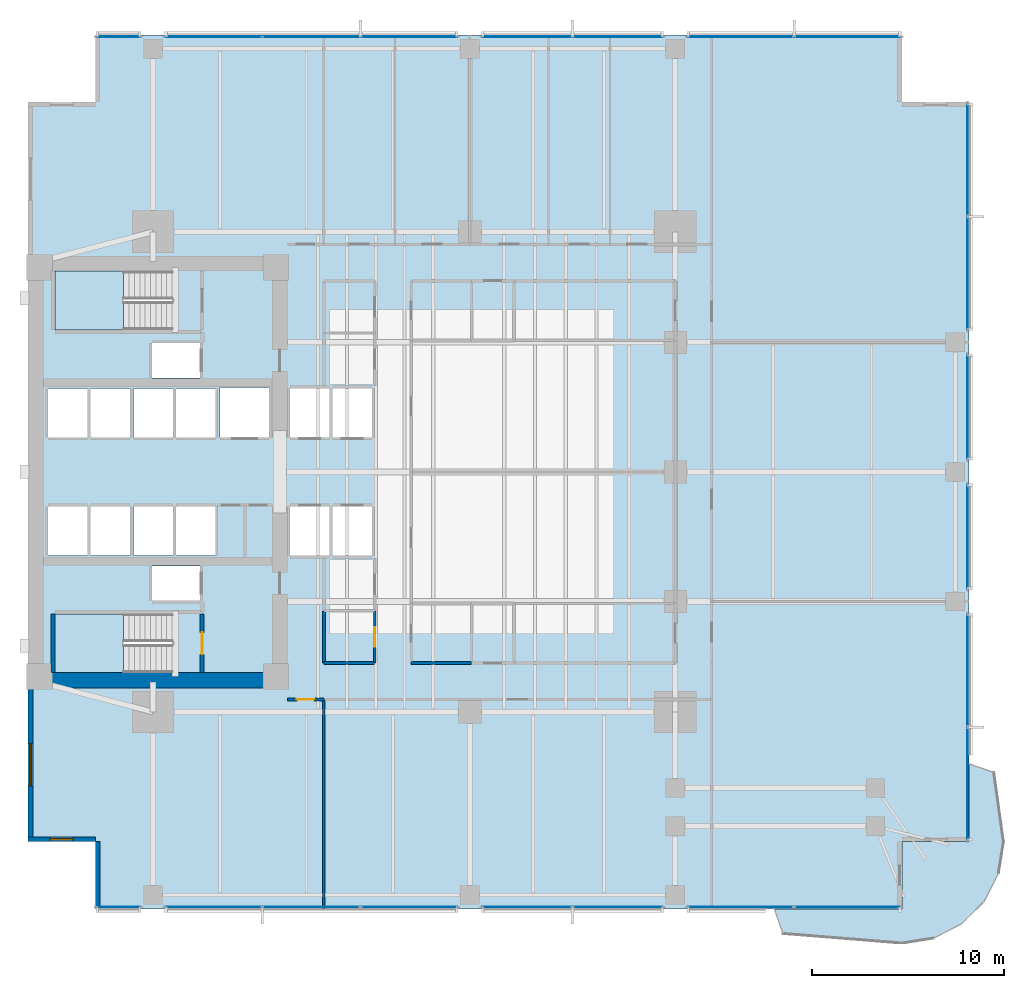
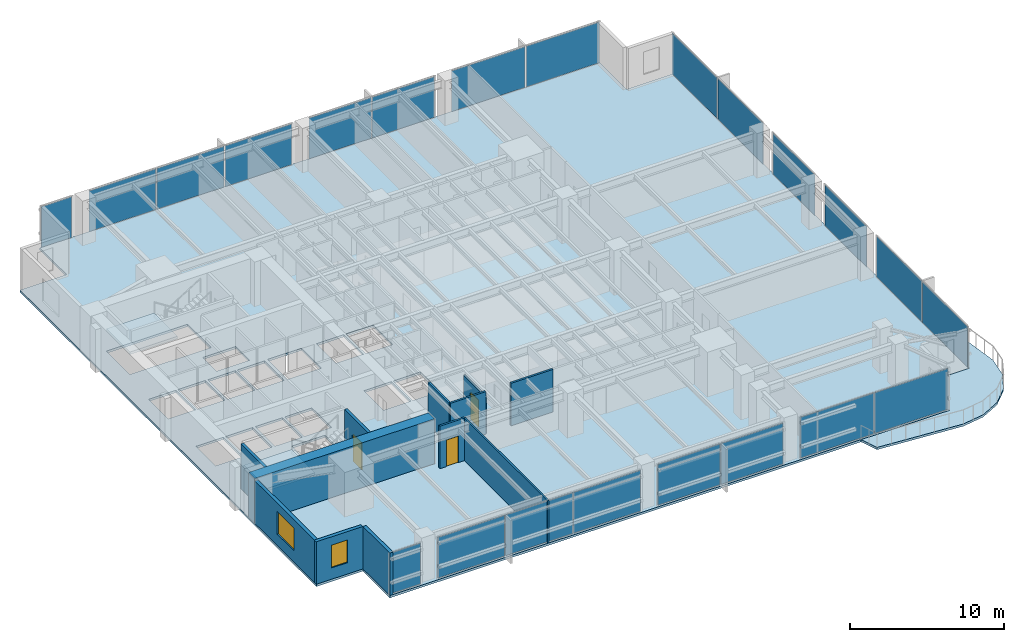
# One storey, part 7 of 15: 22 plates, 12 walls, 4 slabs, 3 doors, 2 windows, 5 openings, 14 elements without a shape of their own.
"""IFC4 building model written with IfcOpenShell, lengths in metres."""

from ifc_helpers import new_model, si_unit, direction, frame, frame_2d, origin, origin_2d, place, context, subcontext, project, spatial, polyline, rectangle, outline, extrude, material, layer, layer_set, type_object, element, fill, aggregate, save


model = new_model("IFC4")

# Units and contexts
model_context = context("Model", 3, precision=1e-05, world=origin(), true_north=direction((0.0, 1.0)))
body_context = subcontext(model_context, "Body", "Model", "MODEL_VIEW")
ifc_project = project(units=[si_unit("LENGTHUNIT", "METRE"), si_unit("AREAUNIT", "SQUARE_METRE"), si_unit("VOLUMEUNIT", "CUBIC_METRE"), si_unit("PLANEANGLEUNIT", "RADIAN"), si_unit("MASSUNIT", "GRAM", prefix="KILO")], contexts=[model_context])

# Site, building, storey
site_placement = place(None, origin())
site = spatial("IfcSite", under=ifc_project, at=site_placement, CompositionType="ELEMENT")
building_placement = place(site_placement, origin())
building = spatial("IfcBuilding", under=site, at=building_placement, Name="Kinhvarn Gate Tower", CompositionType="ELEMENT")
storey_placement = place(building_placement, frame((0.0, 0.0, 50.449951171875)))
storey = spatial("IfcBuildingStorey", under=building, at=storey_placement, Name="L12", CompositionType="ELEMENT", Elevation=50.449951171875)

# Curtain wall, plate
ifc_material_1 = material(Name="Anodised aluminium AW-6063", Category="aluminium")
ifc_layer_1 = layer(ifc_material_1, 0.179931640625)
ifc_layer_set_1 = layer_set([ifc_layer_1], Name="Anodised aluminium AW-6063")
curtain_wall_type = type_object("IfcCurtainWallType", Name="CW-SYS-2", PredefinedType="NOTDEFINED", material=ifc_layer_set_1)
curtain_wall_1_placement = place(storey_placement, origin())
curtain_wall_1 = element("IfcCurtainWall", 1, at=curtain_wall_1_placement, inside=storey, type_object=curtain_wall_type, Name="Curtain Wall CW2 (L12)", PredefinedType="NOTDEFINED")
ifc_material_2 = material(Name="Clear low-e double glazing", Category="glass")
ifc_layer_2 = layer(ifc_material_2, 0.031982421875)
ifc_layer_set_2 = layer_set([ifc_layer_2], Name="Clear low-e double glazing")
plate_type = type_object("IfcPlateType", Name="CW-PNL-VIS", PredefinedType="CURTAIN_PANEL", material=ifc_layer_set_2)
plate_1_placement = place(storey_placement, frame((9.2099609375, 2.590087890625, 0.070068359375), z_axis=(0.0, 0.0, 1.0), x_axis=(1.0, 0.0, 0.0)))
plate_1 = element("IfcPlate", 2, at=plate_1_placement, type_object=plate_type, Name="CW2 panel 1.1", PredefinedType="CURTAIN_PANEL", context=body_context, shape_type="SweptSolid", body=[
    extrude(rectangle(XDim=2.280029296875, YDim=0.031982421875, at=origin_2d()), origin(), (0.0, 0.0, 1.0), 3.22998046875),
])
aggregate(curtain_wall_1, [plate_1])

# Curtain wall, plates
curtain_wall_2_placement = place(storey_placement, origin())
curtain_wall_2 = element("IfcCurtainWall", 3, at=curtain_wall_2_placement, inside=storey, type_object=curtain_wall_type, Name="Curtain Wall CW2 (L12)", PredefinedType="NOTDEFINED")
plate_2_placement = place(storey_placement, frame((14.154052734375, 2.590087890625, 0.070068359375), z_axis=(0.0, 0.0, 1.0), x_axis=(1.0, 0.0, 0.0)))
plate_2 = element("IfcPlate", 4, at=plate_2_placement, type_object=plate_type, Name="CW2 panel 1.1", PredefinedType="CURTAIN_PANEL", context=body_context, shape_type="SweptSolid", body=[
    extrude(rectangle(XDim=5.00830078125, YDim=0.031982421875, at=origin_2d()), origin(), (0.0, 0.0, 1.0), 3.22998046875),
])
plate_3_placement = place(storey_placement, frame((19.25, 2.590087890625, 0.070068359375), z_axis=(0.0, 0.0, 1.0), x_axis=(1.0, 0.0, 0.0)))
plate_3 = element("IfcPlate", 5, at=plate_3_placement, type_object=plate_type, Name="CW2 panel 2.1", PredefinedType="CURTAIN_PANEL", context=body_context, shape_type="SweptSolid", body=[
    extrude(rectangle(XDim=5.043212890625, YDim=0.031982421875, at=origin_2d()), origin(), (0.0, 0.0, 1.0), 3.22998046875),
])
plate_4_placement = place(storey_placement, frame((24.345947265625, 2.590087890625, 0.070068359375), z_axis=(0.0, 0.0, 1.0), x_axis=(1.0, 0.0, 0.0)))
plate_4 = element("IfcPlate", 6, at=plate_4_placement, type_object=plate_type, Name="CW2 panel 3.1", PredefinedType="CURTAIN_PANEL", context=body_context, shape_type="SweptSolid", body=[
    extrude(rectangle(XDim=5.00830078125, YDim=0.031982421875, at=origin_2d()), origin(), (0.0, 0.0, 1.0), 3.22998046875),
])
aggregate(curtain_wall_2, [plate_2, plate_3, plate_4])

curtain_wall_3_placement = place(storey_placement, origin())
curtain_wall_3 = element("IfcCurtainWall", 7, at=curtain_wall_3_placement, inside=storey, type_object=curtain_wall_type, Name="Curtain Wall CW2 (L12)", PredefinedType="NOTDEFINED")
plate_5_placement = place(storey_placement, frame((30.482421875, 2.590087890625, 0.070068359375), z_axis=(0.0, 0.0, 1.0), x_axis=(1.0, 0.0, 0.0)))
plate_5 = element("IfcPlate", 8, at=plate_5_placement, type_object=plate_type, Name="CW2 panel 1.1", PredefinedType="CURTAIN_PANEL", context=body_context, shape_type="SweptSolid", body=[
    extrude(rectangle(XDim=4.6650390625, YDim=0.031982421875, at=origin_2d()), origin(), (0.0, 0.0, 1.0), 3.22998046875),
])
plate_6_placement = place(storey_placement, frame((35.217529296875, 2.590087890625, 0.070068359375), z_axis=(0.0, 0.0, 1.0), x_axis=(1.0, 0.0, 0.0)))
plate_6 = element("IfcPlate", 9, at=plate_6_placement, type_object=plate_type, Name="CW2 panel 2.1", PredefinedType="CURTAIN_PANEL", context=body_context, shape_type="SweptSolid", body=[
    extrude(rectangle(XDim=4.6650390625, YDim=0.031982421875, at=origin_2d()), origin(), (0.0, 0.0, 1.0), 3.22998046875),
])
aggregate(curtain_wall_3, [plate_5, plate_6])

curtain_wall_4_placement = place(storey_placement, origin())
curtain_wall_4 = element("IfcCurtainWall", 10, at=curtain_wall_4_placement, inside=storey, type_object=curtain_wall_type, Name="Curtain Wall CW2 (L12)", PredefinedType="NOTDEFINED")
plate_7_placement = place(storey_placement, frame((41.6025390625, 2.590087890625, 0.070068359375), z_axis=(0.0, 0.0, 1.0), x_axis=(1.0, 0.0, 0.0)))
plate_7 = element("IfcPlate", 11, at=plate_7_placement, type_object=plate_type, Name="CW2 panel 1.1", PredefinedType="CURTAIN_PANEL", context=body_context, shape_type="SweptSolid", body=[
    extrude(rectangle(XDim=5.5048828125, YDim=0.031982421875, at=origin_2d()), origin(), (0.0, 0.0, 1.0), 3.22998046875),
])
plate_8_placement = place(storey_placement, frame((47.177490234375, 2.590087890625, 0.070068359375), z_axis=(0.0, 0.0, 1.0), x_axis=(1.0, 0.0, 0.0)))
plate_8 = element("IfcPlate", 12, at=plate_8_placement, type_object=plate_type, Name="CW2 panel 2.1", PredefinedType="CURTAIN_PANEL", context=body_context, shape_type="SweptSolid", body=[
    extrude(rectangle(XDim=5.5048828125, YDim=0.031982421875, at=origin_2d()), origin(), (0.0, 0.0, 1.0), 3.22998046875),
])
aggregate(curtain_wall_4, [plate_7, plate_8])

curtain_wall_5_placement = place(storey_placement, origin())
curtain_wall_5 = element("IfcCurtainWall", 13, at=curtain_wall_5_placement, inside=storey, type_object=curtain_wall_type, Name="Curtain Wall CW2 (L12)", PredefinedType="NOTDEFINED")
plate_9_placement = place(storey_placement, frame((47.177490234375, 47.909912109375, 0.070068359375), z_axis=(0.0, 0.0, 1.0), x_axis=(-1.0, 0.0, 0.0)))
plate_9 = element("IfcPlate", 14, at=plate_9_placement, type_object=plate_type, Name="CW2 panel 1.1", PredefinedType="CURTAIN_PANEL", context=body_context, shape_type="SweptSolid", body=[
    extrude(rectangle(XDim=5.5048828125, YDim=0.031982421875, at=origin_2d()), origin(), (0.0, 0.0, 1.0), 3.22998046875),
])
plate_10_placement = place(storey_placement, frame((41.6025390625, 47.909912109375, 0.070068359375), z_axis=(0.0, 0.0, 1.0), x_axis=(-1.0, 0.0, 0.0)))
plate_10 = element("IfcPlate", 15, at=plate_10_placement, type_object=plate_type, Name="CW2 panel 2.1", PredefinedType="CURTAIN_PANEL", context=body_context, shape_type="SweptSolid", body=[
    extrude(rectangle(XDim=5.5048828125, YDim=0.031982421875, at=origin_2d()), origin(), (0.0, 0.0, 1.0), 3.22998046875),
])
aggregate(curtain_wall_5, [plate_9, plate_10])

curtain_wall_6_placement = place(storey_placement, origin())
curtain_wall_6 = element("IfcCurtainWall", 16, at=curtain_wall_6_placement, inside=storey, type_object=curtain_wall_type, Name="Curtain Wall CW2 (L12)", PredefinedType="NOTDEFINED")
plate_11_placement = place(storey_placement, frame((35.217529296875, 47.909912109375, 0.070068359375), z_axis=(0.0, 0.0, 1.0), x_axis=(-1.0, 0.0, 0.0)))
plate_11 = element("IfcPlate", 17, at=plate_11_placement, type_object=plate_type, Name="CW2 panel 1.1", PredefinedType="CURTAIN_PANEL", context=body_context, shape_type="SweptSolid", body=[
    extrude(rectangle(XDim=4.6650390625, YDim=0.031982421875, at=origin_2d()), origin(), (0.0, 0.0, 1.0), 3.22998046875),
])
plate_12_placement = place(storey_placement, frame((30.482421875, 47.909912109375, 0.070068359375), z_axis=(0.0, 0.0, 1.0), x_axis=(-1.0, 0.0, 0.0)))
plate_12 = element("IfcPlate", 18, at=plate_12_placement, type_object=plate_type, Name="CW2 panel 2.1", PredefinedType="CURTAIN_PANEL", context=body_context, shape_type="SweptSolid", body=[
    extrude(rectangle(XDim=4.6650390625, YDim=0.031982421875, at=origin_2d()), origin(), (0.0, 0.0, 1.0), 3.22998046875),
])
aggregate(curtain_wall_6, [plate_11, plate_12])

curtain_wall_7_placement = place(storey_placement, origin())
curtain_wall_7 = element("IfcCurtainWall", 19, at=curtain_wall_7_placement, inside=storey, type_object=curtain_wall_type, Name="Curtain Wall CW2 (L12)", PredefinedType="NOTDEFINED")
plate_13_placement = place(storey_placement, frame((24.345947265625, 47.909912109375, 0.070068359375), z_axis=(0.0, 0.0, 1.0), x_axis=(-1.0, 0.0, 0.0)))
plate_13 = element("IfcPlate", 20, at=plate_13_placement, type_object=plate_type, Name="CW2 panel 1.1", PredefinedType="CURTAIN_PANEL", context=body_context, shape_type="SweptSolid", body=[
    extrude(rectangle(XDim=5.00830078125, YDim=0.031982421875, at=origin_2d()), origin(), (0.0, 0.0, 1.0), 3.22998046875),
])
plate_14_placement = place(storey_placement, frame((19.25, 47.909912109375, 0.070068359375), z_axis=(0.0, 0.0, 1.0), x_axis=(-1.0, 0.0, 0.0)))
plate_14 = element("IfcPlate", 21, at=plate_14_placement, type_object=plate_type, Name="CW2 panel 2.1", PredefinedType="CURTAIN_PANEL", context=body_context, shape_type="SweptSolid", body=[
    extrude(rectangle(XDim=5.043212890625, YDim=0.031982421875, at=origin_2d()), origin(), (0.0, 0.0, 1.0), 3.22998046875),
])
plate_15_placement = place(storey_placement, frame((14.154052734375, 47.909912109375, 0.070068359375), z_axis=(0.0, 0.0, 1.0), x_axis=(-1.0, 0.0, 0.0)))
plate_15 = element("IfcPlate", 22, at=plate_15_placement, type_object=plate_type, Name="CW2 panel 3.1", PredefinedType="CURTAIN_PANEL", context=body_context, shape_type="SweptSolid", body=[
    extrude(rectangle(XDim=5.00830078125, YDim=0.031982421875, at=origin_2d()), origin(), (0.0, 0.0, 1.0), 3.22998046875),
])
aggregate(curtain_wall_7, [plate_13, plate_14, plate_15])

# Curtain wall, plate
curtain_wall_8_placement = place(storey_placement, origin())
curtain_wall_8 = element("IfcCurtainWall", 23, at=curtain_wall_8_placement, inside=storey, type_object=curtain_wall_type, Name="Curtain Wall CW2 (L12)", PredefinedType="NOTDEFINED")
plate_16_placement = place(storey_placement, frame((9.2099609375, 47.909912109375, 0.070068359375), z_axis=(0.0, 0.0, 1.0), x_axis=(-1.0, 0.0, 0.0)))
plate_16 = element("IfcPlate", 24, at=plate_16_placement, type_object=plate_type, Name="CW2 panel 1.1", PredefinedType="CURTAIN_PANEL", context=body_context, shape_type="SweptSolid", body=[
    extrude(rectangle(XDim=2.280029296875, YDim=0.031982421875, at=origin_2d()), origin(), (0.0, 0.0, 1.0), 3.22998046875),
])
aggregate(curtain_wall_8, [plate_16])

# Curtain wall, plates
curtain_wall_9_placement = place(storey_placement, origin())
curtain_wall_9 = element("IfcCurtainWall", 25, at=curtain_wall_9_placement, inside=storey, type_object=curtain_wall_type, Name="Curtain Wall CW2 (L12)", PredefinedType="NOTDEFINED")
plate_17_placement = place(storey_placement, frame((53.409912109375, 8.99755859375, 0.070068359375), z_axis=(0.0, 0.0, 1.0), x_axis=(0.0, 1.0, 0.0)))
plate_17 = element("IfcPlate", 26, at=plate_17_placement, type_object=plate_type, Name="CW2 panel 1.1", PredefinedType="CURTAIN_PANEL", context=body_context, shape_type="SweptSolid", body=[
    extrude(rectangle(XDim=5.85498046875, YDim=0.031982421875, at=origin_2d()), origin(), (0.0, 0.0, 1.0), 3.22998046875),
])
plate_18_placement = place(storey_placement, frame((53.409912109375, 14.922607421875, 0.070068359375), z_axis=(0.0, 0.0, 1.0), x_axis=(0.0, 1.0, 0.0)))
plate_18 = element("IfcPlate", 27, at=plate_18_placement, type_object=plate_type, Name="CW2 panel 2.1", PredefinedType="CURTAIN_PANEL", context=body_context, shape_type="SweptSolid", body=[
    extrude(rectangle(XDim=5.85498046875, YDim=0.031982421875, at=origin_2d()), origin(), (0.0, 0.0, 1.0), 3.22998046875),
])
aggregate(curtain_wall_9, [plate_17, plate_18])

# Curtain wall, plate
curtain_wall_10_placement = place(storey_placement, origin())
curtain_wall_10 = element("IfcCurtainWall", 28, at=curtain_wall_10_placement, inside=storey, type_object=curtain_wall_type, Name="Curtain Wall CW2 (L12)", PredefinedType="NOTDEFINED")
plate_19_placement = place(storey_placement, frame((53.409912109375, 21.875, 0.070068359375), z_axis=(0.0, 0.0, 1.0), x_axis=(0.0, 1.0, 0.0)))
plate_19 = element("IfcPlate", 29, at=plate_19_placement, type_object=plate_type, Name="CW2 panel 1.1", PredefinedType="CURTAIN_PANEL", context=body_context, shape_type="SweptSolid", body=[
    extrude(rectangle(XDim=5.449951171875, YDim=0.031982421875, at=origin_2d()), origin(), (0.0, 0.0, 1.0), 3.22998046875),
])
aggregate(curtain_wall_10, [plate_19])

curtain_wall_11_placement = place(storey_placement, origin())
curtain_wall_11 = element("IfcCurtainWall", 30, at=curtain_wall_11_placement, inside=storey, type_object=curtain_wall_type, Name="Curtain Wall CW2 (L12)", PredefinedType="NOTDEFINED")
plate_20_placement = place(storey_placement, frame((53.409912109375, 28.625, 0.070068359375), z_axis=(0.0, 0.0, 1.0), x_axis=(0.0, 1.0, 0.0)))
plate_20 = element("IfcPlate", 31, at=plate_20_placement, type_object=plate_type, Name="CW2 panel 1.1", PredefinedType="CURTAIN_PANEL", context=body_context, shape_type="SweptSolid", body=[
    extrude(rectangle(XDim=5.449951171875, YDim=0.031982421875, at=origin_2d()), origin(), (0.0, 0.0, 1.0), 3.22998046875),
])
aggregate(curtain_wall_11, [plate_20])

# Curtain wall, plates
curtain_wall_12_placement = place(storey_placement, origin())
curtain_wall_12 = element("IfcCurtainWall", 32, at=curtain_wall_12_placement, inside=storey, type_object=curtain_wall_type, Name="Curtain Wall CW2 (L12)", PredefinedType="NOTDEFINED")
plate_21_placement = place(storey_placement, frame((53.409912109375, 35.577392578125, 0.070068359375), z_axis=(0.0, 0.0, 1.0), x_axis=(0.0, 1.0, 0.0)))
plate_21 = element("IfcPlate", 33, at=plate_21_placement, type_object=plate_type, Name="CW2 panel 1.1", PredefinedType="CURTAIN_PANEL", context=body_context, shape_type="SweptSolid", body=[
    extrude(rectangle(XDim=5.85498046875, YDim=0.031982421875, at=origin_2d()), origin(), (0.0, 0.0, 1.0), 3.22998046875),
])
plate_22_placement = place(storey_placement, frame((53.409912109375, 41.50244140625, 0.070068359375), z_axis=(0.0, 0.0, 1.0), x_axis=(0.0, 1.0, 0.0)))
plate_22 = element("IfcPlate", 34, at=plate_22_placement, type_object=plate_type, Name="CW2 panel 2.1", PredefinedType="CURTAIN_PANEL", context=body_context, shape_type="SweptSolid", body=[
    extrude(rectangle(XDim=5.85498046875, YDim=0.031982421875, at=origin_2d()), origin(), (0.0, 0.0, 1.0), 3.22998046875),
])
aggregate(curtain_wall_12, [plate_21, plate_22])

# Slabs
ifc_material_3 = material(Name="Precast white architectural concrete C40/50", Category="concrete")
ifc_layer_3 = layer(ifc_material_3, 0.179931640625)
ifc_layer_set_3 = layer_set([ifc_layer_3], Name="Precast white architectural concrete C40/50")
slab_type_1 = type_object("IfcSlabType", Name="SLB-BAL-180", PredefinedType="FLOOR", material=ifc_layer_set_3)
slab_1_placement = place(storey_placement, frame((0.0, 0.0, -0.179931640625)))
element("IfcSlab", 35, at=slab_1_placement, inside=storey, type_object=slab_type_1, Name="S-Carve Curved Terrace Balcony Slab L12 (SE)", PredefinedType="FLOOR", context=body_context, shape_type="SweptSolid", body=[
    extrude(outline(polyline([(43.35595703125, 2.5), (43.805908203125, 1.211181640625), (50.0, 0.7099609375), (51.634765625, 0.968994140625), (53.109375, 1.72021484375), (54.27978515625, 2.890625), (55.031005859375, 4.365234375), (55.2900390625, 6.0), (54.788818359375, 9.59912109375), (53.5, 10.049072265625), (53.5, 6.0), (50.0, 6.0), (50.0, 2.5), (43.35595703125, 2.5)])), origin(), (0.0, 0.0, 1.0), 0.179931640625),
])
ifc_material_4 = material(Name="Concrete C40/50", Category="concrete")
ifc_layer_4 = layer(ifc_material_4, 0.179931640625)
ifc_layer_set_4 = layer_set([ifc_layer_4], Name="Concrete C40/50")
slab_type_2 = type_object("IfcSlabType", Name="SLB-FLR-180", PredefinedType="FLOOR", material=ifc_layer_set_4)
slab_2_placement = place(storey_placement, frame((0.0, 0.0, -0.179931640625)))
element("IfcSlab", 36, at=slab_2_placement, inside=storey, type_object=slab_type_2, Name="Suspended Floor Slab L12", PredefinedType="FLOOR", context=body_context, shape_type="SweptSolid", body=[
    extrude(outline(polyline([(8.0, 2.5), (50.0, 2.5), (50.0, 6.0), (53.5, 6.0), (53.5, 44.5), (50.0, 44.5), (50.0, 48.0), (8.0, 48.0), (8.0, 44.5), (4.5, 44.5), (4.5, 6.0), (8.0, 6.0), (8.0, 2.5)]), holes=[polyline([(5.89990234375, 14.800048828125), (12.0, 14.800048828125), (12.0, 17.85009765625), (5.89990234375, 17.85009765625), (5.89990234375, 14.800048828125)]), polyline([(5.89990234375, 32.64990234375), (12.0, 32.64990234375), (12.0, 35.699951171875), (5.89990234375, 35.699951171875), (5.89990234375, 32.64990234375)]), polyline([(18.14990234375, 20.89990234375), (20.199951171875, 20.89990234375), (20.199951171875, 23.449951171875), (18.14990234375, 23.449951171875), (18.14990234375, 20.89990234375)]), polyline([(20.35009765625, 20.89990234375), (22.39990234375, 20.89990234375), (22.39990234375, 23.449951171875), (20.35009765625, 23.449951171875), (20.35009765625, 20.89990234375)]), polyline([(18.14990234375, 27.050048828125), (20.199951171875, 27.050048828125), (20.199951171875, 29.60009765625), (18.14990234375, 29.60009765625), (18.14990234375, 27.050048828125)]), polyline([(20.35009765625, 27.050048828125), (22.39990234375, 27.050048828125), (22.39990234375, 29.60009765625), (20.35009765625, 29.60009765625), (20.35009765625, 27.050048828125)]), polyline([(5.550048828125, 20.89990234375), (7.60009765625, 20.89990234375), (7.60009765625, 23.449951171875), (5.550048828125, 23.449951171875), (5.550048828125, 20.89990234375)]), polyline([(7.75, 20.89990234375), (9.800048828125, 20.89990234375), (9.800048828125, 23.449951171875), (7.75, 23.449951171875), (7.75, 20.89990234375)]), polyline([(5.550048828125, 27.050048828125), (7.60009765625, 27.050048828125), (7.60009765625, 29.60009765625), (5.550048828125, 29.60009765625), (5.550048828125, 27.050048828125)]), polyline([(7.75, 27.050048828125), (9.800048828125, 27.050048828125), (9.800048828125, 29.60009765625), (7.75, 29.60009765625), (7.75, 27.050048828125)]), polyline([(10.0, 20.89990234375), (12.050048828125, 20.89990234375), (12.050048828125, 23.449951171875), (10.0, 23.449951171875), (10.0, 20.89990234375)]), polyline([(12.199951171875, 20.89990234375), (14.25, 20.89990234375), (14.25, 23.449951171875), (12.199951171875, 23.449951171875), (12.199951171875, 20.89990234375)]), polyline([(10.0, 27.050048828125), (12.050048828125, 27.050048828125), (12.050048828125, 29.60009765625), (10.0, 29.60009765625), (10.0, 27.050048828125)]), polyline([(12.199951171875, 27.050048828125), (14.25, 27.050048828125), (14.25, 29.60009765625), (12.199951171875, 29.60009765625), (12.199951171875, 27.050048828125)]), polyline([(14.5, 27.050048828125), (17.050048828125, 27.050048828125), (17.050048828125, 29.64990234375), (14.5, 29.64990234375), (14.5, 27.050048828125)]), polyline([(10.949951171875, 18.550048828125), (13.449951171875, 18.550048828125), (13.449951171875, 20.35009765625), (10.949951171875, 20.35009765625), (10.949951171875, 18.550048828125)]), polyline([(10.949951171875, 30.14990234375), (13.449951171875, 30.14990234375), (13.449951171875, 31.949951171875), (10.949951171875, 31.949951171875), (10.949951171875, 30.14990234375)])]), origin(), (0.0, 0.0, 1.0), 0.179931640625),
])

# Stair, slab
stair_type = type_object("IfcStairType", Name="STR-DLG-177", PredefinedType="HALF_TURN_STAIR", material=ifc_material_4)
stair_1_placement = place(storey_placement, origin())
stair_1 = element("IfcStair", 37, at=stair_1_placement, inside=storey, type_object=stair_type, Name="L12 Core Smokeproof Exit Stair ST1", PredefinedType="HALF_TURN_STAIR")
ifc_layer_5 = layer(ifc_material_4, 0.199951171875)
ifc_layer_set_5 = layer_set([ifc_layer_5], Name="Concrete C40/50")
slab_type_3 = type_object("IfcSlabType", Name="SLB-ST-LND", PredefinedType="LANDING", material=ifc_layer_set_5)
slab_3_placement = place(storey_placement, frame((0.0, 0.0, 1.574951171875)))
slab_3 = element("IfcSlab", 38, at=slab_3_placement, type_object=slab_type_3, Name="ST1 landing 1", PredefinedType="LANDING", context=body_context, shape_type="SweptSolid", body=[
    extrude(outline(polyline([(9.47998046875, 17.85009765625), (5.89990234375, 17.85009765625), (5.89990234375, 14.800048828125), (9.47998046875, 14.800048828125), (9.47998046875, 17.85009765625)])), origin(), (0.0, 0.0, 1.0), 0.2001953125),
])
aggregate(stair_1, [slab_3])

stair_2_placement = place(storey_placement, origin())
stair_2 = element("IfcStair", 39, at=stair_2_placement, inside=storey, type_object=stair_type, Name="L12 Core Smokeproof Exit Stair ST2", PredefinedType="HALF_TURN_STAIR")
slab_4_placement = place(storey_placement, frame((0.0, 0.0, 1.574951171875)))
slab_4 = element("IfcSlab", 40, at=slab_4_placement, type_object=slab_type_3, Name="ST2 landing 1", PredefinedType="LANDING", context=body_context, shape_type="SweptSolid", body=[
    extrude(outline(polyline([(9.47998046875, 35.699951171875), (5.89990234375, 35.699951171875), (5.89990234375, 32.64990234375), (9.47998046875, 32.64990234375), (9.47998046875, 35.699951171875)])), origin(), (0.0, 0.0, 1.0), 0.2001953125),
])
aggregate(stair_2, [slab_4])

# Wall
ifc_material_5 = material(Name="Concrete C70/85", Category="concrete")
ifc_layer_6 = layer(ifc_material_5, 0.800048828125)
ifc_layer_set_6 = layer_set([ifc_layer_6], Name="Concrete C70/85")
wall_type_1 = type_object("IfcWallType", Name="WL-CORE-800", PredefinedType="SHEAR", material=ifc_layer_set_6)
wall_1_placement = place(storey_placement, frame((4.5, 14.39990234375, 0.0), z_axis=(0.0, 0.0, 1.0), x_axis=(1.0, 0.0, 0.0)))
element("IfcWall", 41, at=wall_1_placement, inside=storey, type_object=wall_type_1, Name="Core South Shear Wall L12 800 mm", PredefinedType="SHEAR", context=body_context, shape_type="SweptSolid", body=[
    extrude(rectangle(XDim=13.5, YDim=0.800048828125, at=frame_2d((6.75, 0.0))), origin(), (0.0, 0.0, 1.0), 3.550048828125),
])

# Wall, opening, window
ifc_material_6 = material(Name="Fired architectural terracotta", Category="masonry")
ifc_layer_7 = layer(ifc_material_6, 0.25)
ifc_layer_set_7 = layer_set([ifc_layer_7], Name="Fired architectural terracotta")
wall_type_2 = type_object("IfcWallType", Name="WL-EXT-250", PredefinedType="SOLIDWALL", material=ifc_layer_set_7)
wall_2_placement = place(storey_placement, frame((4.625, 14.0, 0.0), z_axis=(0.0, 0.0, 1.0), x_axis=(0.0, -1.0, 0.0)))
wall_2 = element("IfcWall", 42, at=wall_2_placement, inside=storey, type_object=wall_type_2, Name="Exterior Solidwall Wall EW-250 (L12 West-South)", PredefinedType="SOLIDWALL", context=body_context, shape_type="SweptSolid", body=[
    extrude(rectangle(XDim=8.0, YDim=0.25, at=frame_2d((4.0, 0.0))), origin(), (0.0, 0.0, 1.0), 3.3701171875),
])
opening_1_placement = place(wall_2_placement, frame((2.89990234375, 0.0, 0.89990234375)))
opening_1 = element("IfcOpeningElement", 43, at=opening_1_placement, cuts=wall_2, Name="Opening WN-01", PredefinedType="OPENING", context=body_context, shape_type="SweptSolid", body=[
    extrude(rectangle(XDim=2.199951171875, YDim=1.800048828125, at=frame_2d((1.10009765625, 0.89990234375))), frame((0.0, 0.135009765625, 0.0), z_axis=(0.0, -1.0, 0.0), x_axis=(1.0, 0.0, 0.0)), (0.0, 0.0, 1.0), 0.27001953125),
])
window_type_1 = type_object("IfcWindowType", Name="WIN-RIB-2200", PartitioningType="SINGLE_PANEL", PredefinedType="WINDOW", material=ifc_material_2)
window_1_placement = place(opening_1_placement, origin())
window_1 = element("IfcWindow", 44, at=window_1_placement, inside=storey, type_object=window_type_1, Name="West Flank Double-Glazed Ribbon Window 2200x1800 mm (L12)", OverallHeight=1.800048828125, OverallWidth=2.199951171875, PartitioningType="SINGLE_PANEL", PredefinedType="WINDOW", context=body_context, shape_type="SweptSolid", body=[
    extrude(rectangle(XDim=2.199951171875, YDim=1.800048828125, at=frame_2d((1.10009765625, 0.89990234375))), frame((0.0, 0.030029296875, 0.0), z_axis=(0.0, -1.0, 0.0), x_axis=(1.0, 0.0, 0.0)), (0.0, 0.0, 1.0), 0.06005859375),
])
fill(opening_1, window_1)

wall_3_placement = place(storey_placement, frame((4.5, 6.125, 0.0), z_axis=(0.0, 0.0, 1.0), x_axis=(1.0, 0.0, 0.0)))
wall_3 = element("IfcWall", 45, at=wall_3_placement, inside=storey, type_object=wall_type_2, Name="Exterior Solidwall Wall EW-250 (L12 SW-Notch-1)", PredefinedType="SOLIDWALL", context=body_context, shape_type="SweptSolid", body=[
    extrude(rectangle(XDim=3.5, YDim=0.25, at=frame_2d((1.75, 0.0))), origin(), (0.0, 0.0, 1.0), 3.3701171875),
])
opening_2_placement = place(wall_3_placement, frame((1.14990234375, 0.0, 0.89990234375)))
opening_2 = element("IfcOpeningElement", 46, at=opening_2_placement, cuts=wall_3, Name="Opening WN-02", PredefinedType="OPENING", context=body_context, shape_type="SweptSolid", body=[
    extrude(rectangle(XDim=1.199951171875, YDim=1.800048828125, at=frame_2d((0.60009765625, 0.89990234375))), frame((0.0, 0.135009765625, 0.0), z_axis=(0.0, -1.0, 0.0), x_axis=(1.0, 0.0, 0.0)), (0.0, 0.0, 1.0), 0.27001953125),
])
window_type_2 = type_object("IfcWindowType", Name="WIN-NTC-1200", PartitioningType="SINGLE_PANEL", PredefinedType="WINDOW", material=ifc_material_2)
window_2_placement = place(opening_2_placement, origin())
window_2 = element("IfcWindow", 47, at=window_2_placement, inside=storey, type_object=window_type_2, Name="Recessed Corner Notch Punched Window 1200x1800 mm (L12)", OverallHeight=1.800048828125, OverallWidth=1.199951171875, PartitioningType="SINGLE_PANEL", PredefinedType="WINDOW", context=body_context, shape_type="SweptSolid", body=[
    extrude(rectangle(XDim=1.199951171875, YDim=1.800048828125, at=frame_2d((0.60009765625, 0.89990234375))), frame((0.0, 0.030029296875, 0.0), z_axis=(0.0, -1.0, 0.0), x_axis=(1.0, 0.0, 0.0)), (0.0, 0.0, 1.0), 0.06005859375),
])
fill(opening_2, window_2)

# Walls
wall_4_placement = place(storey_placement, frame((8.125, 6.0, 0.0), z_axis=(0.0, 0.0, 1.0), x_axis=(0.0, -1.0, 0.0)))
element("IfcWall", 48, at=wall_4_placement, inside=storey, type_object=wall_type_2, Name="Exterior Solidwall Wall EW-250 (L12 SW-Notch-2)", PredefinedType="SOLIDWALL", context=body_context, shape_type="SweptSolid", body=[
    extrude(rectangle(XDim=3.5, YDim=0.25, at=frame_2d((1.75, 0.0))), origin(), (0.0, 0.0, 1.0), 3.3701171875),
])
ifc_material_7 = material(Name="Gypsum acoustic partition board")
ifc_layer_8 = layer(ifc_material_7, 0.14990234375)
ifc_layer_set_8 = layer_set([ifc_layer_8], Name="Gypsum acoustic partition board")
wall_type_3 = type_object("IfcWallType", Name="WL-PLM-150F", PredefinedType="PLUMBINGWALL", material=ifc_layer_set_8)
wall_5_placement = place(storey_placement, frame((24.449951171875, 15.300048828125, 0.0), z_axis=(0.0, 0.0, 1.0), x_axis=(1.0, 0.0, 0.0)))
element("IfcWall", 49, at=wall_5_placement, inside=storey, type_object=wall_type_3, Name="Interior Partition PLW-150F (L12)", PredefinedType="PLUMBINGWALL", context=body_context, shape_type="SweptSolid", body=[
    extrude(rectangle(XDim=3.150146484375, YDim=0.14990234375, at=frame_2d((1.5751953125, 0.0))), origin(), (0.0, 0.0, 1.0), 3.3701171875),
])
ifc_layer_9 = layer(ifc_material_7, 0.1201171875)
ifc_layer_set_9 = layer_set([ifc_layer_9], Name="Gypsum acoustic partition board")
wall_type_4 = type_object("IfcWallType", Name="WL-PRT-120", PredefinedType="PARTITIONING", material=ifc_layer_set_9)
wall_6_placement = place(storey_placement, frame((19.89990234375, 2.510009765625, 0.0), z_axis=(0.0, 0.0, 1.0), x_axis=(0.0, 1.0, 0.0)))
element("IfcWall", 50, at=wall_6_placement, inside=storey, type_object=wall_type_4, Name="Interior Partition PW-120 (L12)", PredefinedType="PARTITIONING", context=body_context, shape_type="SweptSolid", body=[
    extrude(rectangle(XDim=10.889892578125, YDim=0.1201171875, at=frame_2d((5.44482421875, 0.0))), origin(), (0.0, 0.0, 1.0), 3.3701171875),
])

# Wall, opening, door
ifc_layer_10 = layer(ifc_material_7, 0.14990234375)
ifc_layer_set_10 = layer_set([ifc_layer_10], Name="Gypsum acoustic partition board")
wall_type_5 = type_object("IfcWallType", Name="WL-PRT-150F", PredefinedType="PARTITIONING", material=ifc_layer_set_10)
wall_7_placement = place(storey_placement, frame((22.550048828125, 15.300048828125, 0.0), z_axis=(0.0, 0.0, 1.0), x_axis=(0.0, 1.0, 0.0)))
wall_7 = element("IfcWall", 51, at=wall_7_placement, inside=storey, type_object=wall_type_5, Name="Interior Partition PW-150F (L12)", PredefinedType="PARTITIONING", context=body_context, shape_type="SweptSolid", body=[
    extrude(rectangle(XDim=2.719970703125, YDim=0.14990234375, at=frame_2d((1.35986328125, 0.0))), origin(), (0.0, 0.0, 1.0), 3.010009765625),
])
opening_3_placement = place(wall_7_placement, frame((0.860107421875, 0.0, 0.0)))
opening_3 = element("IfcOpeningElement", 52, at=opening_3_placement, cuts=wall_7, Name="Opening ID-02", PredefinedType="OPENING", context=body_context, shape_type="SweptSolid", body=[
    extrude(rectangle(XDim=1.0, YDim=2.14990234375, at=frame_2d((0.5, 1.074951171875))), frame((0.0, 0.0849609375, 0.0), z_axis=(0.0, -1.0, 0.0), x_axis=(1.0, 0.0, 0.0)), (0.0, 0.0, 1.0), 0.169921875),
])
door_type_1 = type_object("IfcDoorType", Name="DR-INT-1000", OperationType="NOTDEFINED", PredefinedType="DOOR", material=ifc_material_1)
door_1_placement = place(opening_3_placement, origin())
door_1 = element("IfcDoor", 53, at=door_1_placement, inside=storey, type_object=door_type_1, Name="Standard Office & Meeting Room Door 1000x2150 mm (L12)", OperationType="SINGLE_SWING_LEFT", OverallHeight=2.14990234375, OverallWidth=1.0, PredefinedType="DOOR", context=body_context, shape_type="SweptSolid", body=[
    extrude(rectangle(XDim=1.0, YDim=2.14990234375, at=frame_2d((0.5, 1.074951171875))), frame((0.0, 0.02490234375, 0.0), z_axis=(0.0, -1.0, 0.0), x_axis=(1.0, 0.0, 0.0)), (0.0, 0.0, 1.0), 0.050048828125),
])
fill(opening_3, door_1)

# Walls
wall_8_placement = place(storey_placement, frame((19.89990234375, 15.300048828125, 0.0), z_axis=(0.0, 0.0, 1.0), x_axis=(0.0, 1.0, 0.0)))
element("IfcWall", 54, at=wall_8_placement, inside=storey, type_object=wall_type_5, Name="Interior Partition PW-150F (L12)", PredefinedType="PARTITIONING", context=body_context, shape_type="SweptSolid", body=[
    extrude(rectangle(XDim=2.719970703125, YDim=0.14990234375, at=frame_2d((1.35986328125, 0.0))), origin(), (0.0, 0.0, 1.0), 3.3701171875),
])
wall_9_placement = place(storey_placement, frame((19.89990234375, 15.300048828125, 0.0), z_axis=(0.0, 0.0, 1.0), x_axis=(1.0, 0.0, 0.0)))
element("IfcWall", 55, at=wall_9_placement, inside=storey, type_object=wall_type_5, Name="Interior Partition PW-150F (L12)", PredefinedType="PARTITIONING", context=body_context, shape_type="SweptSolid", body=[
    extrude(rectangle(XDim=2.650146484375, YDim=0.14990234375, at=frame_2d((1.3251953125, 0.0))), origin(), (0.0, 0.0, 1.0), 3.3701171875),
])

# Wall, opening, door
wall_10_placement = place(storey_placement, frame((18.0, 13.39990234375, 0.0), z_axis=(0.0, 0.0, 1.0), x_axis=(1.0, 0.0, 0.0)))
wall_10 = element("IfcWall", 56, at=wall_10_placement, inside=storey, type_object=wall_type_5, Name="Interior Partition PW-150F (L12)", PredefinedType="PARTITIONING", context=body_context, shape_type="SweptSolid", body=[
    extrude(rectangle(XDim=1.89990234375, YDim=0.14990234375, at=frame_2d((0.949951171875, 0.0))), origin(), (0.0, 0.0, 1.0), 3.3701171875),
])
opening_4_placement = place(wall_10_placement, frame((0.5, 0.0, 0.0)))
opening_4 = element("IfcOpeningElement", 57, at=opening_4_placement, cuts=wall_10, Name="Opening ID-03", PredefinedType="OPENING", context=body_context, shape_type="SweptSolid", body=[
    extrude(rectangle(XDim=0.89990234375, YDim=2.10009765625, at=frame_2d((0.449951171875, 1.050048828125))), frame((0.0, 0.0849609375, 0.0), z_axis=(0.0, -1.0, 0.0), x_axis=(1.0, 0.0, 0.0)), (0.0, 0.0, 1.0), 0.169921875),
])
door_type_2 = type_object("IfcDoorType", Name="DR-INT-900", OperationType="NOTDEFINED", PredefinedType="DOOR", material=ifc_material_1)
door_2_placement = place(opening_4_placement, origin())
door_2 = element("IfcDoor", 58, at=door_2_placement, inside=storey, type_object=door_type_2, Name="Cellular Office & Restroom Door 900x2100 mm (L12)", OperationType="SINGLE_SWING_RIGHT", OverallHeight=2.10009765625, OverallWidth=0.89990234375, PredefinedType="DOOR", context=body_context, shape_type="SweptSolid", body=[
    extrude(rectangle(XDim=0.89990234375, YDim=2.10009765625, at=frame_2d((0.449951171875, 1.050048828125))), frame((0.0, 0.02490234375, 0.0), z_axis=(0.0, -1.0, 0.0), x_axis=(1.0, 0.0, 0.0)), (0.0, 0.0, 1.0), 0.050048828125),
])
fill(opening_4, door_2)

# Wall
ifc_layer_11 = layer(ifc_material_4, 0.199951171875)
ifc_layer_set_11 = layer_set([ifc_layer_11], Name="Concrete C40/50")
wall_type_6 = type_object("IfcWallType", Name="WL-SHF-200", PredefinedType="SOLIDWALL", material=ifc_layer_set_11)
wall_11_placement = place(storey_placement, frame((5.7900390625, 14.800048828125, 0.0), z_axis=(0.0, 0.0, 1.0), x_axis=(0.0, 1.0, 0.0)))
element("IfcWall", 59, at=wall_11_placement, inside=storey, type_object=wall_type_6, Name="Stair ST1 West Shaft Wall (L12)", PredefinedType="SOLIDWALL", context=body_context, shape_type="SweptSolid", body=[
    extrude(rectangle(XDim=3.050048828125, YDim=0.199951171875, at=frame_2d((1.52490234375, 0.0))), origin(), (0.0, 0.0, 1.0), 3.550048828125),
])

# Wall, opening, door
wall_12_placement = place(storey_placement, frame((13.56005859375, 14.800048828125, 0.0), z_axis=(0.0, 0.0, 1.0), x_axis=(0.0, 1.0, 0.0)))
wall_12 = element("IfcWall", 60, at=wall_12_placement, inside=storey, type_object=wall_type_6, Name="Stair ST1 East Entry Wall (L12)", PredefinedType="SOLIDWALL", context=body_context, shape_type="SweptSolid", body=[
    extrude(rectangle(XDim=3.050048828125, YDim=0.199951171875, at=frame_2d((1.52490234375, 0.0))), origin(), (0.0, 0.0, 1.0), 3.550048828125),
])
opening_5_placement = place(wall_12_placement, frame((0.949951171875, 0.0, 0.0)))
opening_5 = element("IfcOpeningElement", 61, at=opening_5_placement, cuts=wall_12, Name="Opening FD-01", PredefinedType="OPENING", context=body_context, shape_type="SweptSolid", body=[
    extrude(rectangle(XDim=1.14990234375, YDim=2.14990234375, at=frame_2d((0.574951171875, 1.074951171875))), frame((0.0, 0.10986328125, 0.0), z_axis=(0.0, -1.0, 0.0), x_axis=(1.0, 0.0, 0.0)), (0.0, 0.0, 1.0), 0.219970703125),
])
door_type_3 = type_object("IfcDoorType", Name="DR-ST-1150", OperationType="NOTDEFINED", PredefinedType="DOOR", material=ifc_material_1)
door_3_placement = place(opening_5_placement, origin())
door_3 = element("IfcDoor", 62, at=door_3_placement, inside=storey, type_object=door_type_3, Name="Exit Stair ST1 Fire Door (L12)", OperationType="SINGLE_SWING_RIGHT", OverallHeight=2.14990234375, OverallWidth=1.14990234375, PredefinedType="DOOR", context=body_context, shape_type="SweptSolid", body=[
    extrude(rectangle(XDim=1.14990234375, YDim=2.14990234375, at=frame_2d((0.574951171875, 1.074951171875))), frame((0.0, 0.02490234375, 0.0), z_axis=(0.0, -1.0, 0.0), x_axis=(1.0, 0.0, 0.0)), (0.0, 0.0, 1.0), 0.050048828125),
])
fill(opening_5, door_3)

save(model, "model.ifc")
